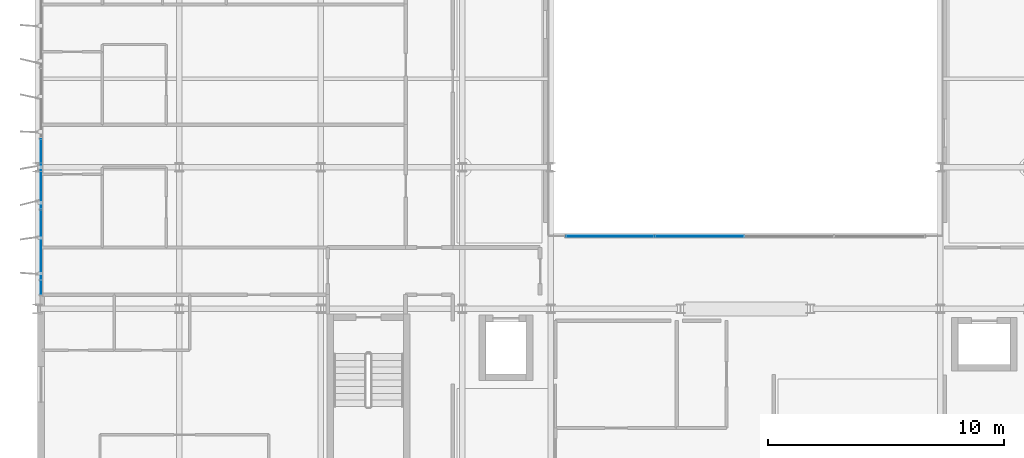
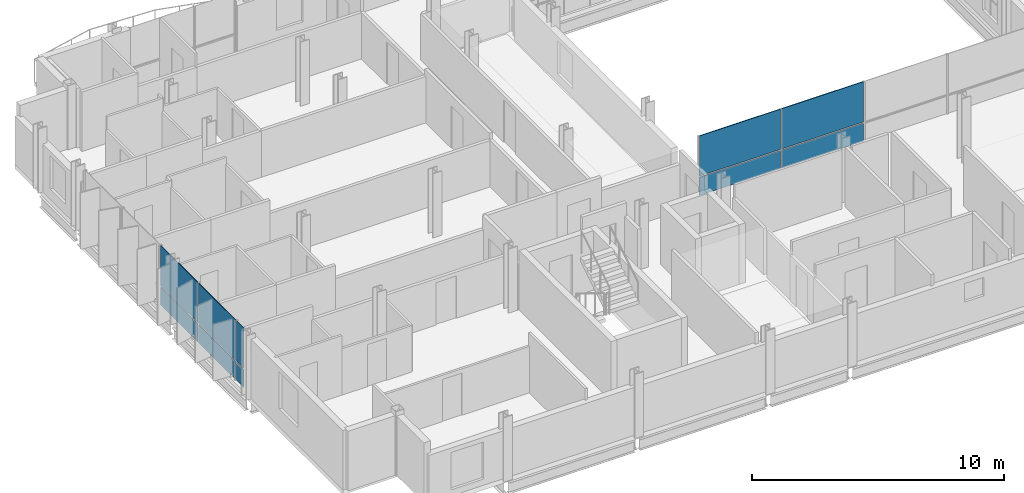
# One storey, part 24 of 40: 10 plates, 2 elements without a shape of their own.
"""IFC4 building model written with IfcOpenShell, lengths in metres."""

import ifcopenshell
import ifcopenshell.guid

model = None  # the IFC model being written
_history = None  # IfcOwnerHistory: only IFC2X3 demands one
_inside = {}  # id of a spatial element -> (the spatial element, [elements in it])
_under = {}  # id of a project, library or spatial element -> (it, [spatial elements below it])
_declared = {}  # id of a project -> (the project, [libraries it declares])
_typed = {}  # id of a type object -> (the type object, [elements of that type])
_made_of = {}  # id of a material, layer set ... -> (it, [elements and type objects made of it])


def new_model(schema):
    """Start an empty IFC model of exactly this schema.

    Asked for "IFC4X3", IfcOpenShell would pick the latest addendum, in which some entities
    have other attributes; the version numbers below select the first issue.
    IFC2X3 requires an IfcOwnerHistory on every rooted entity: one is made here for all.
    """
    global model, _history
    if schema == "IFC4X3":
        model = ifcopenshell.file(schema_version=(4, 3, 0, 0))
    else:
        model = ifcopenshell.file(schema=schema)
    _inside.clear()
    _under.clear()
    _declared.clear()
    _typed.clear()
    _made_of.clear()
    _history = None
    if model.schema == "IFC2X3":
        org = make("IfcOrganization", Name="unknown")
        user = make(
            "IfcPersonAndOrganization",
            ThePerson=make("IfcPerson", FamilyName="unknown"),
            TheOrganization=org,
        )
        app = make(
            "IfcApplication",
            ApplicationDeveloper=org,
            Version="unknown",
            ApplicationFullName="unknown",
            ApplicationIdentifier="unknown",
        )
        _history = make(
            "IfcOwnerHistory",
            OwningUser=user,
            OwningApplication=app,
            ChangeAction="ADDED",
            CreationDate=0,
        )
    return model


def make(cls, **values):
    """One entity of the class cls with the attributes given. An attribute that is None is left unset."""
    return model.create_entity(
        cls, **{name: value for name, value in values.items() if value is not None}
    )


def rooted(cls, **values):
    """An entity with a GlobalId (a new one), such as an element, a storey or a relation."""
    return make(cls, GlobalId=ifcopenshell.guid.new(), OwnerHistory=_history, **values)


def si_unit(unit_type, name, prefix=None):
    """IfcSIUnit, for example si_unit("LENGTHUNIT", "METRE", prefix="MILLI")."""
    return make("IfcSIUnit", UnitType=unit_type, Prefix=prefix, Name=name)


def assignment(units):
    """IfcUnitAssignment: the units of a project."""
    return None if units is None else make("IfcUnitAssignment", Units=units)


def point(xyz):
    """IfcCartesianPoint."""
    return None if xyz is None else make("IfcCartesianPoint", Coordinates=xyz)


def direction(xyz):
    """IfcDirection."""
    return None if xyz is None else make("IfcDirection", DirectionRatios=xyz)


def frame(location, z_axis=None, x_axis=None):
    """IfcAxis2Placement3D, a coordinate frame: its origin and axes. An axis left out is left unset."""
    return make(
        "IfcAxis2Placement3D",
        Location=point(location),
        Axis=direction(z_axis),
        RefDirection=direction(x_axis),
    )


def frame_2d(location, x_axis=None):
    """IfcAxis2Placement2D, a coordinate frame in the plane: its origin and x axis."""
    return make(
        "IfcAxis2Placement2D", Location=point(location), RefDirection=direction(x_axis)
    )


def origin():
    """The frame at (0, 0, 0) with its axes left unset."""
    return frame((0.0, 0.0, 0.0))


def origin_2d():
    """The frame at (0, 0) in the plane with its x axis left unset."""
    return frame_2d((0.0, 0.0))


def place(relative_to, where):
    """IfcLocalPlacement: puts the frame where relative to a parent placement (None: the world)."""
    return make(
        "IfcLocalPlacement", PlacementRelTo=relative_to, RelativePlacement=where
    )


def context(
    kind, dimensions, precision=None, world=None, true_north=None, identifier=None
):
    """IfcGeometricRepresentationContext, for example the 3D "Model" context."""
    return make(
        "IfcGeometricRepresentationContext",
        ContextIdentifier=identifier,
        ContextType=kind,
        CoordinateSpaceDimension=dimensions,
        Precision=precision,
        WorldCoordinateSystem=world,
        TrueNorth=true_north,
    )


def subcontext(parent, identifier, kind, view, scale=None):
    """IfcGeometricRepresentationSubContext, for example "Body" below "Model"."""
    return make(
        "IfcGeometricRepresentationSubContext",
        ContextIdentifier=identifier,
        ContextType=kind,
        ParentContext=parent,
        TargetScale=scale,
        TargetView=view,
    )


def project(units=None, contexts=None):
    """IfcProject with its units and contexts."""
    return rooted(
        "IfcProject",
        Name="project",
        RepresentationContexts=contexts,
        UnitsInContext=assignment(units),
    )


def spatial(cls, under=None, at=None, **own):
    """A site, building, storey or space (cls), placed at a placement, below another one or the project."""
    s = rooted(cls, ObjectPlacement=at, **own)
    if under is not None:
        _under.setdefault(under.id(), (under, []))[1].append(s)
    return s


def profile(cls, at=None, kind="AREA", **sizes):
    """A parametric profile (cls). Its sizes go by their IFC names, for example OverallWidth=200.0."""
    return make(cls, ProfileType=kind, Position=at, **sizes)


def rectangle(**sizes):
    """IfcRectangleProfileDef."""
    return profile("IfcRectangleProfileDef", **sizes)


def extrude(swept, where, along, depth):
    """IfcExtrudedAreaSolid: the profile swept, set in the frame where, extruded along a direction by depth."""
    return make(
        "IfcExtrudedAreaSolid",
        SweptArea=swept,
        Position=where,
        ExtrudedDirection=direction(along),
        Depth=depth,
    )


def shape(context_of_items, identifier, shape_type, items):
    """IfcShapeRepresentation: the items that make up one representation, for example the "Body"."""
    return make(
        "IfcShapeRepresentation",
        ContextOfItems=context_of_items,
        RepresentationIdentifier=identifier,
        RepresentationType=shape_type,
        Items=items,
    )


def material(Name=None, Category=None):
    """IfcMaterial."""
    return make("IfcMaterial", Name=Name, Category=Category)


def layer(
    of_material, thickness, ventilated=None, Name=None, Category=None, Priority=None
):
    """IfcMaterialLayer: one layer of a wall or slab, of a material (None: an air gap)."""
    return make(
        "IfcMaterialLayer",
        Material=of_material,
        LayerThickness=thickness,
        IsVentilated=ventilated,
        Name=Name,
        Category=Category,
        Priority=Priority,
    )


def layer_set(layers, Name=None):
    """IfcMaterialLayerSet."""
    return make("IfcMaterialLayerSet", MaterialLayers=layers, LayerSetName=Name)


def made_of(thing, what):
    """Note that an element or type object is made of a material, layer set ...; save() writes the relation."""
    if what is not None:
        _made_of.setdefault(what.id(), (what, []))[1].append(thing)
    return thing


def type_object(cls, material=None, **own):
    """A type object (cls), such as IfcWallType, which elements share."""
    return made_of(rooted(cls, **own), material)


def element(
    cls,
    number,
    at=None,
    inside=None,
    cuts=None,
    type_object=None,
    material=None,
    context=None,
    identifier="Body",
    shape_type=None,
    held_by="IfcProductDefinitionShape",
    body=None,
    shapes=None,
    **own,
):
    """One element of the class cls, such as IfcWall. Its Tag is "e" and its number.

    at: its placement. inside: the storey or other place that contains it. cuts: it is an
    opening in that element (IfcRelVoidsElement). A single representation is given by context,
    identifier, shape_type and body (its items); several are given by shapes. held_by: the class
    of the entity that holds the representations. save() writes the other relations.
    """
    e = rooted(cls, Tag="e%d" % number, ObjectPlacement=at, **own)
    if body is not None:
        shapes = [shape(context, identifier, shape_type, body)]
    if shapes is not None:
        e.Representation = make(held_by, Representations=shapes)
    if inside is not None:
        _inside.setdefault(inside.id(), (inside, []))[1].append(e)
    if cuts is not None:
        rooted(
            "IfcRelVoidsElement", RelatingBuildingElement=cuts, RelatedOpeningElement=e
        )
    if type_object is not None:
        _typed.setdefault(type_object.id(), (type_object, []))[1].append(e)
    return made_of(e, material)


def aggregate(whole, parts):
    """IfcRelAggregates: a whole, such as a stair, and the parts it consists of."""
    return rooted("IfcRelAggregates", RelatingObject=whole, RelatedObjects=parts)


def save(model, path):
    """Write the relations noted so far, then the file.

    IfcRelAggregates (storeys below a building ...), IfcRelContainedInSpatialStructure (elements
    in a storey), IfcRelDefinesByType, IfcRelAssociatesMaterial and IfcRelDeclares: one each for
    every whole, place, type object, material and project.
    """
    for whole, parts in _under.values():
        aggregate(whole, parts)
    for where, things in _inside.values():
        rooted(
            "IfcRelContainedInSpatialStructure",
            RelatedElements=things,
            RelatingStructure=where,
        )
    for kind, things in _typed.values():
        rooted("IfcRelDefinesByType", RelatedObjects=things, RelatingType=kind)
    for what, things in _made_of.values():
        rooted("IfcRelAssociatesMaterial", RelatedObjects=things, RelatingMaterial=what)
    for by, libraries in _declared.values():
        rooted("IfcRelDeclares", RelatingContext=by, RelatedDefinitions=libraries)
    model.write(path)


model = new_model("IFC4")

# Units and contexts
model_context = context("Model", 3, precision=1e-05, world=origin(), true_north=direction((0.0, 1.0)))
body_context = subcontext(model_context, "Body", "Model", "MODEL_VIEW")
ifc_project = project(units=[si_unit("LENGTHUNIT", "METRE"), si_unit("AREAUNIT", "SQUARE_METRE"), si_unit("VOLUMEUNIT", "CUBIC_METRE"), si_unit("PLANEANGLEUNIT", "RADIAN"), si_unit("MASSUNIT", "GRAM", prefix="KILO")], contexts=[model_context])

# Site, building, storey
site_placement = place(None, origin())
site = spatial("IfcSite", under=ifc_project, at=site_placement, CompositionType="ELEMENT")
building_placement = place(site_placement, origin())
building = spatial("IfcBuilding", under=site, at=building_placement, Name="Brevholm Reach", CompositionType="ELEMENT")
storey_placement = place(building_placement, frame((0.0, 0.0, 148.0)))
storey = spatial("IfcBuildingStorey", under=building, at=storey_placement, Name="L44", CompositionType="ELEMENT", Elevation=148.0)

# Curtain wall, plates
ifc_material_1 = material(Name="Dark Anodised Aluminium 6063-T6 and Solar-Control Glass", Category="aluminium")
ifc_layer_1 = layer(ifc_material_1, 0.14990234375)
ifc_layer_set_1 = layer_set([ifc_layer_1], Name="Dark Anodised Aluminium 6063-T6 and Solar-Control Glass")
curtain_wall_type_1 = type_object("IfcCurtainWallType", Name="CW-01", PredefinedType="NOTDEFINED", material=ifc_layer_set_1)
curtain_wall_1_placement = place(storey_placement, origin())
curtain_wall_1 = element("IfcCurtainWall", 1, at=curtain_wall_1_placement, inside=storey, type_object=curtain_wall_type_1, Name="L44 Curtain Wall CW-01", PredefinedType="NOTDEFINED")
ifc_material_2 = material(Name="Dark Solar-Control Double-Glazed IGU Glass", Category="glass")
ifc_layer_2 = layer(ifc_material_2, 0.028076171875)
ifc_layer_set_2 = layer_set([ifc_layer_2], Name="Dark Solar-Control Double-Glazed IGU Glass")
plate_type_1 = type_object("IfcPlateType", Name="CWP-GLZ-28", PredefinedType="CURTAIN_PANEL", material=ifc_layer_set_2)
plate_1_placement = place(storey_placement, frame((0.14990234375, 15.719970703125, 0.0), z_axis=(0.0, 0.0, 1.0), x_axis=(0.0, -1.0, 0.0)))
plate_1 = element("IfcPlate", 2, at=plate_1_placement, type_object=plate_type_1, Name="CP-01 Glazing Panel 3.1", PredefinedType="CURTAIN_PANEL", context=body_context, shape_type="SweptSolid", body=[
    extrude(rectangle(XDim=2.93505859375, YDim=0.028076171875, at=origin_2d()), origin(), (0.0, 0.0, 1.0), 0.867431640625),
])
plate_2_placement = place(storey_placement, frame((0.14990234375, 15.719970703125, 0.9326171875), z_axis=(0.0, 0.0, 1.0), x_axis=(0.0, -1.0, 0.0)))
plate_2 = element("IfcPlate", 3, at=plate_2_placement, type_object=plate_type_1, Name="CP-01 Glazing Panel 3.2", PredefinedType="CURTAIN_PANEL", context=body_context, shape_type="SweptSolid", body=[
    extrude(rectangle(XDim=2.93505859375, YDim=0.028076171875, at=origin_2d()), origin(), (0.0, 0.0, 1.0), 1.947509765625),
])
plate_3_placement = place(storey_placement, frame((0.14990234375, 12.719970703125, 0.0), z_axis=(0.0, 0.0, 1.0), x_axis=(0.0, -1.0, 0.0)))
plate_3 = element("IfcPlate", 4, at=plate_3_placement, type_object=plate_type_1, Name="CP-01 Glazing Panel 4.1", PredefinedType="CURTAIN_PANEL", context=body_context, shape_type="SweptSolid", body=[
    extrude(rectangle(XDim=2.93505859375, YDim=0.028076171875, at=origin_2d()), origin(), (0.0, 0.0, 1.0), 0.867431640625),
])
plate_4_placement = place(storey_placement, frame((0.14990234375, 12.719970703125, 0.9326171875), z_axis=(0.0, 0.0, 1.0), x_axis=(0.0, -1.0, 0.0)))
plate_4 = element("IfcPlate", 5, at=plate_4_placement, type_object=plate_type_1, Name="CP-01 Glazing Panel 4.2", PredefinedType="CURTAIN_PANEL", context=body_context, shape_type="SweptSolid", body=[
    extrude(rectangle(XDim=2.93505859375, YDim=0.028076171875, at=origin_2d()), origin(), (0.0, 0.0, 1.0), 1.947509765625),
])
plate_5_placement = place(storey_placement, frame((0.14990234375, 10.9013671875, 0.0), z_axis=(0.0, 0.0, 1.0), x_axis=(0.0, -1.0, 0.0)))
plate_5 = element("IfcPlate", 6, at=plate_5_placement, type_object=plate_type_1, Name="CP-01 Glazing Panel 5.1", PredefinedType="CURTAIN_PANEL", context=body_context, shape_type="SweptSolid", body=[
    extrude(rectangle(XDim=0.572509765625, YDim=0.028076171875, at=origin_2d()), origin(), (0.0, 0.0, 1.0), 0.867431640625),
])
plate_6_placement = place(storey_placement, frame((0.14990234375, 10.9013671875, 0.9326171875), z_axis=(0.0, 0.0, 1.0), x_axis=(0.0, -1.0, 0.0)))
plate_6 = element("IfcPlate", 7, at=plate_6_placement, type_object=plate_type_1, Name="CP-01 Glazing Panel 5.2", PredefinedType="CURTAIN_PANEL", context=body_context, shape_type="SweptSolid", body=[
    extrude(rectangle(XDim=0.572509765625, YDim=0.028076171875, at=origin_2d()), origin(), (0.0, 0.0, 1.0), 1.947509765625),
])
aggregate(curtain_wall_1, [plate_1, plate_2, plate_3, plate_4, plate_5, plate_6])

ifc_material_3 = material(Name="Dark Anodised Aluminium 6063-T6 and Solar-Control Glass", Category="aluminium")
ifc_layer_3 = layer(ifc_material_3, 0.139892578125)
ifc_layer_set_3 = layer_set([ifc_layer_3], Name="Dark Anodised Aluminium 6063-T6 and Solar-Control Glass")
curtain_wall_type_2 = type_object("IfcCurtainWallType", Name="CW-02", PredefinedType="NOTDEFINED", material=ifc_layer_set_3)
curtain_wall_2_placement = place(storey_placement, origin())
curtain_wall_2 = element("IfcCurtainWall", 8, at=curtain_wall_2_placement, inside=storey, type_object=curtain_wall_type_2, Name="L44 Curtain Wall CW-02", PredefinedType="NOTDEFINED")
ifc_material_4 = material(Name="Low-Iron Laminated Acoustic Glass", Category="glass")
ifc_layer_4 = layer(ifc_material_4, 0.035888671875)
ifc_layer_set_4 = layer_set([ifc_layer_4], Name="Low-Iron Laminated Acoustic Glass")
plate_type_2 = type_object("IfcPlateType", Name="CWP-GLZ-36", PredefinedType="CURTAIN_PANEL", material=ifc_layer_set_4)
plate_7_placement = place(storey_placement, frame((24.264892578125, 13.080078125, 0.0), z_axis=(0.0, 0.0, 1.0), x_axis=(1.0, 0.0, 0.0)))
plate_7 = element("IfcPlate", 9, at=plate_7_placement, type_object=plate_type_2, Name="CP-02 Glazing Panel 1.1", PredefinedType="CURTAIN_PANEL", context=body_context, shape_type="SweptSolid", body=[
    extrude(rectangle(XDim=3.7099609375, YDim=0.035888671875, at=origin_2d()), origin(), (0.0, 0.0, 1.0), 0.8701171875),
])
plate_8_placement = place(storey_placement, frame((24.264892578125, 13.080078125, 0.93017578125), z_axis=(0.0, 0.0, 1.0), x_axis=(1.0, 0.0, 0.0)))
plate_8 = element("IfcPlate", 10, at=plate_8_placement, type_object=plate_type_2, Name="CP-02 Glazing Panel 1.2", PredefinedType="CURTAIN_PANEL", context=body_context, shape_type="SweptSolid", body=[
    extrude(rectangle(XDim=3.7099609375, YDim=0.035888671875, at=origin_2d()), origin(), (0.0, 0.0, 1.0), 1.949951171875),
])
plate_9_placement = place(storey_placement, frame((28.050048828125, 13.080078125, 0.0), z_axis=(0.0, 0.0, 1.0), x_axis=(1.0, 0.0, 0.0)))
plate_9 = element("IfcPlate", 11, at=plate_9_placement, type_object=plate_type_2, Name="CP-02 Glazing Panel 2.1", PredefinedType="CURTAIN_PANEL", context=body_context, shape_type="SweptSolid", body=[
    extrude(rectangle(XDim=3.739990234375, YDim=0.035888671875, at=origin_2d()), origin(), (0.0, 0.0, 1.0), 0.8701171875),
])
plate_10_placement = place(storey_placement, frame((28.050048828125, 13.080078125, 0.93017578125), z_axis=(0.0, 0.0, 1.0), x_axis=(1.0, 0.0, 0.0)))
plate_10 = element("IfcPlate", 12, at=plate_10_placement, type_object=plate_type_2, Name="CP-02 Glazing Panel 2.2", PredefinedType="CURTAIN_PANEL", context=body_context, shape_type="SweptSolid", body=[
    extrude(rectangle(XDim=3.739990234375, YDim=0.035888671875, at=origin_2d()), origin(), (0.0, 0.0, 1.0), 1.949951171875),
])
aggregate(curtain_wall_2, [plate_7, plate_8, plate_9, plate_10])

save(model, "model.ifc")
